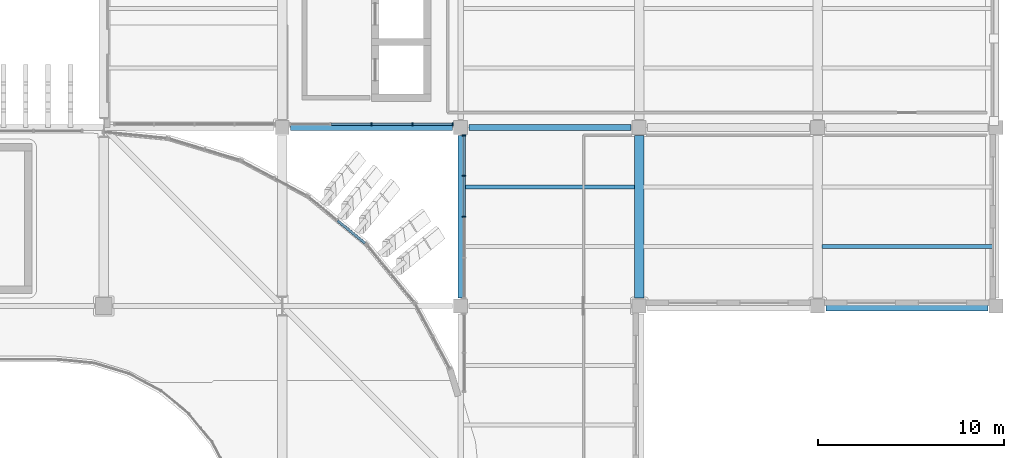
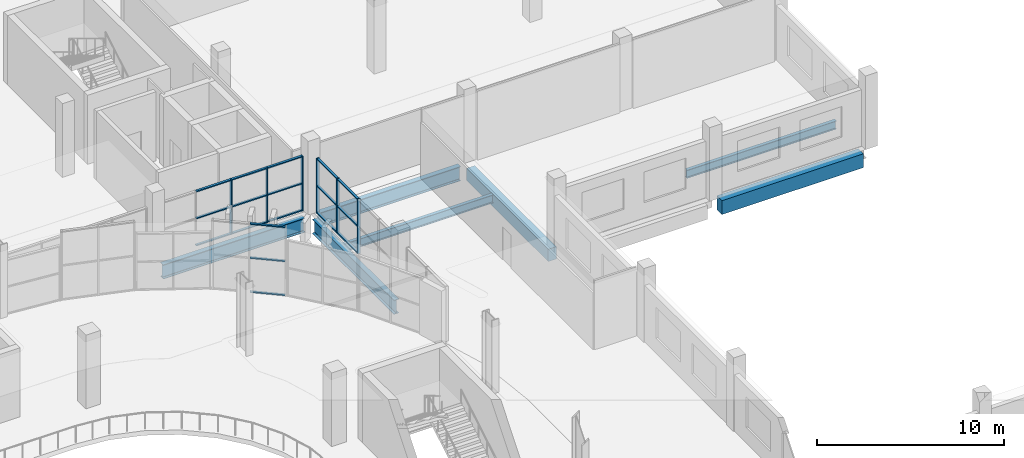
# One storey, part 37 of 100: 24 members, 7 beams, 3 elements without a shape of their own.
"""IFC4 building model written with IfcOpenShell, lengths in metres."""

from ifc_helpers import new_model, si_unit, direction, frame, origin, origin_2d, place, context, subcontext, project, spatial, rectangle, i_section, extrude, material, layer, layer_set, material_profile, profile_set, type_object, element, aggregate, save


model = new_model("IFC4")

# Units and contexts
model_context = context("Model", 3, precision=1e-05, world=origin(), true_north=direction((0.0, 1.0)))
body_context = subcontext(model_context, "Body", "Model", "MODEL_VIEW")
ifc_project = project(units=[si_unit("LENGTHUNIT", "METRE"), si_unit("AREAUNIT", "SQUARE_METRE"), si_unit("VOLUMEUNIT", "CUBIC_METRE"), si_unit("PLANEANGLEUNIT", "RADIAN"), si_unit("MASSUNIT", "GRAM", prefix="KILO")], contexts=[model_context])

# Site, building, storey
site_placement = place(None, origin())
site = spatial("IfcSite", under=ifc_project, at=site_placement, CompositionType="ELEMENT")
building_placement = place(site_placement, origin())
building = spatial("IfcBuilding", under=site, at=building_placement, Name="Caelomonte Colonnade Arena", CompositionType="ELEMENT")
storey_placement = place(building_placement, origin())
storey = spatial("IfcBuildingStorey", under=building, at=storey_placement, Name="L00", CompositionType="ELEMENT", Elevation=0.0)

# Curtain wall, members
ifc_material_1 = material(Name="Bronze anodised aluminium and low-E glazing", Category="aluminium")
ifc_layer_1 = layer(ifc_material_1, 0.179931640625)
ifc_layer_set_1 = layer_set([ifc_layer_1], Name="Bronze anodised aluminium and low-E glazing")
curtain_wall_type_1 = type_object("IfcCurtainWallType", Name="ENV-CW-CW-L00-89-36", PredefinedType="USERDEFINED", material=ifc_layer_set_1)
curtain_wall_1_placement = place(storey_placement, origin())
curtain_wall_1 = element("IfcCurtainWall", 1, at=curtain_wall_1_placement, inside=storey, type_object=curtain_wall_type_1, Name="L00 unitized curtain wall CW-L00-1584-1154", ObjectType="UNITIZED CURTAIN WALL", PredefinedType="USERDEFINED")
ifc_material_2 = material(Name="Bronze anodised aluminium AA6063-T6", Category="aluminium")
ifc_material_profile_1 = material_profile(ifc_material_2, rectangle(XDim=0.070068359375, YDim=0.179931640625, at=origin_2d()), Name="CWM-70X180")
ifc_profile_set_1 = profile_set([ifc_material_profile_1], Name="Bronze anodised aluminium AA6063-T6")
member_type_1 = type_object("IfcMemberType", Name="ENV-CW-MULL1", PredefinedType="MULLION", material=ifc_profile_set_1)
member_1_placement = place(storey_placement, frame((158.39990234375, 115.3798828125, 0.0), z_axis=(0.0, 0.0, 1.0), x_axis=(1.0, 0.0, 0.0)))
member_1 = element("IfcMember", 2, at=member_1_placement, type_object=member_type_1, Name="CW-L00-89-36 mullion 3", PredefinedType="MULLION", context=body_context, shape_type="SweptSolid", body=[
    extrude(rectangle(XDim=0.070068359375, YDim=0.179931640625, at=origin_2d()), origin(), (0.0, 0.0, 1.0), 3.572998046875),
])
member_2_placement = place(storey_placement, frame((160.6025390625, 115.3798828125, 0.0), z_axis=(0.0, 0.0, 1.0), x_axis=(1.0, 0.0, 0.0)))
member_2 = element("IfcMember", 3, at=member_2_placement, type_object=member_type_1, Name="CW-L00-89-36 mullion 4", PredefinedType="MULLION", context=body_context, shape_type="SweptSolid", body=[
    extrude(rectangle(XDim=0.070068359375, YDim=0.179931640625, at=origin_2d()), origin(), (0.0, 0.0, 1.0), 3.572998046875),
])
member_3_placement = place(storey_placement, frame((162.77001953125, 115.3798828125, 0.0), z_axis=(0.0, 0.0, 1.0), x_axis=(1.0, 0.0, 0.0)))
member_3 = element("IfcMember", 4, at=member_3_placement, type_object=member_type_1, Name="CW-L00-89-36 mullion 5", PredefinedType="MULLION", context=body_context, shape_type="SweptSolid", body=[
    extrude(rectangle(XDim=0.070068359375, YDim=0.179931640625, at=origin_2d()), origin(), (0.0, 0.0, 1.0), 3.572998046875),
])

curtain_wall_2_placement = place(storey_placement, origin())
curtain_wall_2 = element("IfcCurtainWall", 5, at=curtain_wall_2_placement, inside=storey, type_object=curtain_wall_type_1, Name="L00 unitized curtain wall CW-L00-1634-1104", ObjectType="UNITIZED CURTAIN WALL", PredefinedType="USERDEFINED")
member_4_placement = place(storey_placement, frame((163.3798828125, 114.77001953125, 0.0), z_axis=(0.0, 0.0, 1.0), x_axis=(0.0, -1.0, 0.0)))
member_4 = element("IfcMember", 6, at=member_4_placement, type_object=member_type_1, Name="CW-L00-89-36 mullion 1", PredefinedType="MULLION", context=body_context, shape_type="SweptSolid", body=[
    extrude(rectangle(XDim=0.070068359375, YDim=0.179931640625, at=origin_2d()), origin(), (0.0, 0.0, 1.0), 3.572998046875),
])
member_5_placement = place(storey_placement, frame((163.3798828125, 112.6025390625, 0.0), z_axis=(0.0, 0.0, 1.0), x_axis=(0.0, -1.0, 0.0)))
member_5 = element("IfcMember", 7, at=member_5_placement, type_object=member_type_1, Name="CW-L00-89-36 mullion 2", PredefinedType="MULLION", context=body_context, shape_type="SweptSolid", body=[
    extrude(rectangle(XDim=0.070068359375, YDim=0.179931640625, at=origin_2d()), origin(), (0.0, 0.0, 1.0), 3.572998046875),
])
member_6_placement = place(storey_placement, frame((163.3798828125, 110.39990234375, 0.0), z_axis=(0.0, 0.0, 1.0), x_axis=(0.0, -1.0, 0.0)))
member_6 = element("IfcMember", 8, at=member_6_placement, type_object=member_type_1, Name="CW-L00-89-36 mullion 3", PredefinedType="MULLION", context=body_context, shape_type="SweptSolid", body=[
    extrude(rectangle(XDim=0.070068359375, YDim=0.179931640625, at=origin_2d()), origin(), (0.0, 0.0, 1.0), 3.572998046875),
])

# Member
ifc_material_profile_2 = material_profile(ifc_material_2, rectangle(XDim=0.070068359375, YDim=0.139892578125, at=origin_2d()), Name="CWT-70X140")
ifc_profile_set_2 = profile_set([ifc_material_profile_2], Name="Bronze anodised aluminium AA6063-T6")
member_type_2 = type_object("IfcMemberType", Name="ENV-CW-TRAN1", PredefinedType="USERDEFINED", material=ifc_profile_set_2)
member_7_placement = place(storey_placement, frame((156.232421875, 115.3798828125, 0.034912109375), z_axis=(1.0, 0.0, 0.0), x_axis=(0.0, 0.0, 1.0)))
member_7 = element("IfcMember", 9, at=member_7_placement, type_object=member_type_2, Name="CW-L00-89-36 transom 2.1", ObjectType="TRANSOM", PredefinedType="USERDEFINED", context=body_context, shape_type="SweptSolid", body=[
    extrude(rectangle(XDim=0.070068359375, YDim=0.139892578125, at=origin_2d()), origin(), (0.0, 0.0, 1.0), 2.132568359375),
])

member_8_placement = place(storey_placement, frame((156.232421875, 115.3798828125, 1.78662109375), z_axis=(1.0, 0.0, 0.0), x_axis=(0.0, 0.0, 1.0)))
member_8 = element("IfcMember", 10, at=member_8_placement, type_object=member_type_2, Name="CW-L00-89-36 transom 2.2", ObjectType="TRANSOM", PredefinedType="USERDEFINED", context=body_context, shape_type="SweptSolid", body=[
    extrude(rectangle(XDim=0.070068359375, YDim=0.139892578125, at=origin_2d()), origin(), (0.0, 0.0, 1.0), 2.132568359375),
])

member_9_placement = place(storey_placement, frame((156.232421875, 115.3798828125, 3.5380859375), z_axis=(1.0, 0.0, 0.0), x_axis=(0.0, 0.0, 1.0)))
member_9 = element("IfcMember", 11, at=member_9_placement, type_object=member_type_2, Name="CW-L00-89-36 transom 2.3", ObjectType="TRANSOM", PredefinedType="USERDEFINED", context=body_context, shape_type="SweptSolid", body=[
    extrude(rectangle(XDim=0.070068359375, YDim=0.139892578125, at=origin_2d()), origin(), (0.0, 0.0, 1.0), 2.132568359375),
])

member_10_placement = place(storey_placement, frame((158.43505859375, 115.3798828125, 0.034912109375), z_axis=(1.0, 0.0, 0.0), x_axis=(0.0, 0.0, 1.0)))
member_10 = element("IfcMember", 12, at=member_10_placement, type_object=member_type_2, Name="CW-L00-89-36 transom 3.1", ObjectType="TRANSOM", PredefinedType="USERDEFINED", context=body_context, shape_type="SweptSolid", body=[
    extrude(rectangle(XDim=0.070068359375, YDim=0.139892578125, at=origin_2d()), origin(), (0.0, 0.0, 1.0), 2.13232421875),
])

member_11_placement = place(storey_placement, frame((158.43505859375, 115.3798828125, 1.78662109375), z_axis=(1.0, 0.0, 0.0), x_axis=(0.0, 0.0, 1.0)))
member_11 = element("IfcMember", 13, at=member_11_placement, type_object=member_type_2, Name="CW-L00-89-36 transom 3.2", ObjectType="TRANSOM", PredefinedType="USERDEFINED", context=body_context, shape_type="SweptSolid", body=[
    extrude(rectangle(XDim=0.070068359375, YDim=0.139892578125, at=origin_2d()), origin(), (0.0, 0.0, 1.0), 2.13232421875),
])

member_12_placement = place(storey_placement, frame((158.43505859375, 115.3798828125, 3.5380859375), z_axis=(1.0, 0.0, 0.0), x_axis=(0.0, 0.0, 1.0)))
member_12 = element("IfcMember", 14, at=member_12_placement, type_object=member_type_2, Name="CW-L00-89-36 transom 3.3", ObjectType="TRANSOM", PredefinedType="USERDEFINED", context=body_context, shape_type="SweptSolid", body=[
    extrude(rectangle(XDim=0.070068359375, YDim=0.139892578125, at=origin_2d()), origin(), (0.0, 0.0, 1.0), 2.13232421875),
])

member_13_placement = place(storey_placement, frame((160.637451171875, 115.3798828125, 0.034912109375), z_axis=(1.0, 0.0, 0.0), x_axis=(0.0, 0.0, 1.0)))
member_13 = element("IfcMember", 15, at=member_13_placement, type_object=member_type_2, Name="CW-L00-89-36 transom 4.1", ObjectType="TRANSOM", PredefinedType="USERDEFINED", context=body_context, shape_type="SweptSolid", body=[
    extrude(rectangle(XDim=0.070068359375, YDim=0.139892578125, at=origin_2d()), origin(), (0.0, 0.0, 1.0), 2.09765625),
])

member_14_placement = place(storey_placement, frame((160.637451171875, 115.3798828125, 1.78662109375), z_axis=(1.0, 0.0, 0.0), x_axis=(0.0, 0.0, 1.0)))
member_14 = element("IfcMember", 16, at=member_14_placement, type_object=member_type_2, Name="CW-L00-89-36 transom 4.2", ObjectType="TRANSOM", PredefinedType="USERDEFINED", context=body_context, shape_type="SweptSolid", body=[
    extrude(rectangle(XDim=0.070068359375, YDim=0.139892578125, at=origin_2d()), origin(), (0.0, 0.0, 1.0), 2.09765625),
])

member_15_placement = place(storey_placement, frame((160.637451171875, 115.3798828125, 3.5380859375), z_axis=(1.0, 0.0, 0.0), x_axis=(0.0, 0.0, 1.0)))
member_15 = element("IfcMember", 17, at=member_15_placement, type_object=member_type_2, Name="CW-L00-89-36 transom 4.3", ObjectType="TRANSOM", PredefinedType="USERDEFINED", context=body_context, shape_type="SweptSolid", body=[
    extrude(rectangle(XDim=0.070068359375, YDim=0.139892578125, at=origin_2d()), origin(), (0.0, 0.0, 1.0), 2.09765625),
])

aggregate(curtain_wall_1, [member_1, member_2, member_3, member_7, member_8, member_9, member_10, member_11, member_12, member_13, member_14, member_15])

member_16_placement = place(storey_placement, frame((163.3798828125, 114.735107421875, 0.034912109375), z_axis=(0.0, -1.0, 0.0), x_axis=(0.0, 0.0, 1.0)))
member_16 = element("IfcMember", 18, at=member_16_placement, type_object=member_type_2, Name="CW-L00-89-36 transom 1.1", ObjectType="TRANSOM", PredefinedType="USERDEFINED", context=body_context, shape_type="SweptSolid", body=[
    extrude(rectangle(XDim=0.070068359375, YDim=0.139892578125, at=origin_2d()), origin(), (0.0, 0.0, 1.0), 2.09765625),
])

member_17_placement = place(storey_placement, frame((163.3798828125, 114.735107421875, 1.78662109375), z_axis=(0.0, -1.0, 0.0), x_axis=(0.0, 0.0, 1.0)))
member_17 = element("IfcMember", 19, at=member_17_placement, type_object=member_type_2, Name="CW-L00-89-36 transom 1.2", ObjectType="TRANSOM", PredefinedType="USERDEFINED", context=body_context, shape_type="SweptSolid", body=[
    extrude(rectangle(XDim=0.070068359375, YDim=0.139892578125, at=origin_2d()), origin(), (0.0, 0.0, 1.0), 2.09765625),
])

member_18_placement = place(storey_placement, frame((163.3798828125, 114.735107421875, 3.5380859375), z_axis=(0.0, -1.0, 0.0), x_axis=(0.0, 0.0, 1.0)))
member_18 = element("IfcMember", 20, at=member_18_placement, type_object=member_type_2, Name="CW-L00-89-36 transom 1.3", ObjectType="TRANSOM", PredefinedType="USERDEFINED", context=body_context, shape_type="SweptSolid", body=[
    extrude(rectangle(XDim=0.070068359375, YDim=0.139892578125, at=origin_2d()), origin(), (0.0, 0.0, 1.0), 2.09765625),
])

member_19_placement = place(storey_placement, frame((163.3798828125, 112.5673828125, 0.034912109375), z_axis=(0.0, -1.0, 0.0), x_axis=(0.0, 0.0, 1.0)))
member_19 = element("IfcMember", 21, at=member_19_placement, type_object=member_type_2, Name="CW-L00-89-36 transom 2.1", ObjectType="TRANSOM", PredefinedType="USERDEFINED", context=body_context, shape_type="SweptSolid", body=[
    extrude(rectangle(XDim=0.070068359375, YDim=0.139892578125, at=origin_2d()), origin(), (0.0, 0.0, 1.0), 2.13232421875),
])

member_20_placement = place(storey_placement, frame((163.3798828125, 112.5673828125, 1.78662109375), z_axis=(0.0, -1.0, 0.0), x_axis=(0.0, 0.0, 1.0)))
member_20 = element("IfcMember", 22, at=member_20_placement, type_object=member_type_2, Name="CW-L00-89-36 transom 2.2", ObjectType="TRANSOM", PredefinedType="USERDEFINED", context=body_context, shape_type="SweptSolid", body=[
    extrude(rectangle(XDim=0.070068359375, YDim=0.139892578125, at=origin_2d()), origin(), (0.0, 0.0, 1.0), 2.13232421875),
])

member_21_placement = place(storey_placement, frame((163.3798828125, 112.5673828125, 3.5380859375), z_axis=(0.0, -1.0, 0.0), x_axis=(0.0, 0.0, 1.0)))
member_21 = element("IfcMember", 23, at=member_21_placement, type_object=member_type_2, Name="CW-L00-89-36 transom 2.3", ObjectType="TRANSOM", PredefinedType="USERDEFINED", context=body_context, shape_type="SweptSolid", body=[
    extrude(rectangle(XDim=0.070068359375, YDim=0.139892578125, at=origin_2d()), origin(), (0.0, 0.0, 1.0), 2.13232421875),
])

aggregate(curtain_wall_2, [member_4, member_5, member_6, member_16, member_17, member_18, member_19, member_20, member_21])

# Curtain wall, members
ifc_layer_2 = layer(ifc_material_1, 0.179931640625)
ifc_layer_set_2 = layer_set([ifc_layer_2], Name="Bronze anodised aluminium and low-E glazing")
curtain_wall_type_2 = type_object("IfcCurtainWallType", Name="ENV-CW-CW-L00-44-45", PredefinedType="USERDEFINED", material=ifc_layer_set_2)
curtain_wall_3_placement = place(storey_placement, origin())
curtain_wall_3 = element("IfcCurtainWall", 24, at=curtain_wall_3_placement, inside=storey, type_object=curtain_wall_type_2, Name="L00 unitized curtain wall CW-L00-1565-1102", ObjectType="UNITIZED CURTAIN WALL", PredefinedType="USERDEFINED")
member_22_placement = place(storey_placement, frame((158.050048828125, 108.979736328125, 0.034912109375), z_axis=(-0.772989936128, 0.634418283662, 0.0), x_axis=(0.0, 0.0, 1.0)))
member_22 = element("IfcMember", 25, at=member_22_placement, type_object=member_type_2, Name="CW-L00-44-45 transom 1.1", ObjectType="TRANSOM", PredefinedType="USERDEFINED", context=body_context, shape_type="SweptSolid", body=[
    extrude(rectangle(XDim=0.070068359375, YDim=0.139892578125, at=origin_2d()), origin(), (0.0, 0.0, 1.0), 1.913330078125),
])
member_23_placement = place(storey_placement, frame((158.050048828125, 108.979736328125, 2.25), z_axis=(-0.772989936128, 0.634418283662, 0.0), x_axis=(0.0, 0.0, 1.0)))
member_23 = element("IfcMember", 26, at=member_23_placement, type_object=member_type_2, Name="CW-L00-44-45 transom 1.2", ObjectType="TRANSOM", PredefinedType="USERDEFINED", context=body_context, shape_type="SweptSolid", body=[
    extrude(rectangle(XDim=0.070068359375, YDim=0.139892578125, at=origin_2d()), origin(), (0.0, 0.0, 1.0), 1.913330078125),
])
member_24_placement = place(storey_placement, frame((158.050048828125, 108.979736328125, 4.465087890625), z_axis=(-0.772989936128, 0.634418283662, 0.0), x_axis=(0.0, 0.0, 1.0)))
member_24 = element("IfcMember", 27, at=member_24_placement, type_object=member_type_2, Name="CW-L00-44-45 transom 1.3", ObjectType="TRANSOM", PredefinedType="USERDEFINED", context=body_context, shape_type="SweptSolid", body=[
    extrude(rectangle(XDim=0.070068359375, YDim=0.139892578125, at=origin_2d()), origin(), (0.0, 0.0, 1.0), 1.913330078125),
])
aggregate(curtain_wall_3, [member_22, member_23, member_24])

# Beams
ifc_material_3 = material(Name="Wide-flange steel ASTM A992 Grade 50", Category="steel")
ifc_material_profile_3 = material_profile(ifc_material_3, i_section(OverallWidth=0.307861328125, OverallDepth=0.927001953125, WebThickness=0.019287109375, FlangeThickness=0.031982421875, FilletRadius=0.020263671875, at=origin_2d()), Name="W36X194")
ifc_profile_set_3 = profile_set([ifc_material_profile_3], Name="Wide-flange steel ASTM A992 Grade 50")
beam_type_1 = type_object("IfcBeamType", Name="STR-BM-EAVES2", PredefinedType="SPANDREL", material=ifc_profile_set_3)
beam_1_placement = place(storey_placement, frame((154.0419921875, 115.199951171875, -0.763427734375), z_axis=(1.0, 0.0, 0.0), x_axis=(0.0, 1.0, 0.0)))
element("IfcBeam", 28, at=beam_1_placement, inside=storey, type_object=beam_type_1, Name="L00 girder BMX-L00-1536-1152", PredefinedType="SPANDREL", context=body_context, shape_type="SweptSolid", body=[
    extrude(i_section(OverallWidth=0.307861328125, OverallDepth=0.927001953125, WebThickness=0.019287109375, FlangeThickness=0.031982421875, FilletRadius=0.020263671875, at=origin_2d()), origin(), (0.0, 0.0, 1.0), 8.716064453125),
])
beam_2_placement = place(storey_placement, frame((163.64208984375, 115.199951171875, -0.763427734375), z_axis=(1.0, 0.0, 0.0), x_axis=(0.0, 1.0, 0.0)))
element("IfcBeam", 29, at=beam_2_placement, inside=storey, type_object=beam_type_1, Name="L00 girder BMX-L00-1632-1152", PredefinedType="SPANDREL", context=body_context, shape_type="SweptSolid", body=[
    extrude(i_section(OverallWidth=0.307861328125, OverallDepth=0.927001953125, WebThickness=0.019287109375, FlangeThickness=0.031982421875, FilletRadius=0.020263671875, at=origin_2d()), origin(), (0.0, 0.0, 1.0), 8.7158203125),
])
beam_3_placement = place(storey_placement, frame((163.199951171875, 106.0419921875, -0.763427734375), z_axis=(0.0, 1.0, 0.0), x_axis=(-1.0, 0.0, 0.0)))
element("IfcBeam", 30, at=beam_3_placement, inside=storey, type_object=beam_type_1, Name="L00 girder BMY-L00-1632-1056", PredefinedType="SPANDREL", context=body_context, shape_type="SweptSolid", body=[
    extrude(i_section(OverallWidth=0.307861328125, OverallDepth=0.927001953125, WebThickness=0.019287109375, FlangeThickness=0.031982421875, FilletRadius=0.020263671875, at=origin_2d()), origin(), (0.0, 0.0, 1.0), 8.716064453125),
])
ifc_material_profile_4 = material_profile(ifc_material_3, i_section(OverallWidth=0.209228515625, OverallDepth=0.533447265625, WebThickness=0.01025390625, FlangeThickness=0.015625, FilletRadius=0.0126953125, at=origin_2d()), Name="W21X62")
ifc_profile_set_4 = profile_set([ifc_material_profile_4], Name="Wide-flange steel ASTM A992 Grade 50")
beam_type_2 = type_object("IfcBeamType", Name="STR-BM-JOIST21", PredefinedType="JOIST", material=ifc_profile_set_4)
for number, where, z_axis, x_axis, name in (
    (31, (163.348876953125, 112.0, -0.566650390625), (1.0, 0.0, 0.0), (0.0, 1.0, 0.0), "L00 secondary joist 2"),
    (32, (182.64501953125, 108.800048828125, -0.566650390625), (1.0, 0.0, 0.0), (0.0, 1.0, 0.0), "L00 secondary joist 1"),
):
    element("IfcBeam", number, at=place(storey_placement, frame(where, z_axis=z_axis, x_axis=x_axis)), inside=storey, type_object=beam_type_2, Name=name, PredefinedType="JOIST", context=body_context, shape_type="SweptSolid", body=[
        extrude(i_section(OverallWidth=0.209228515625, OverallDepth=0.533447265625, WebThickness=0.01025390625, FlangeThickness=0.015625, FilletRadius=0.0126953125, at=origin_2d()), origin(), (0.0, 0.0, 1.0), 9.2060546875),
    ])
ifc_material_4 = material(Name="Concrete C40/50", Category="concrete")
ifc_material_profile_5 = material_profile(ifc_material_4, rectangle(XDim=0.5, YDim=0.800048828125, at=origin_2d()), Name="RC500X800")
ifc_profile_set_5 = profile_set([ifc_material_profile_5], Name="Concrete C40/50")
beam_type_3 = type_object("IfcBeamType", Name="STR-BM-RC50", PredefinedType="BEAM", material=ifc_profile_set_5)
beam_4_placement = place(storey_placement, frame((172.800048828125, 106.0419921875, -0.699951171875), z_axis=(0.0, 1.0, 0.0), x_axis=(-1.0, 0.0, 0.0)))
element("IfcBeam", 33, at=beam_4_placement, inside=storey, type_object=beam_type_3, Name="L00 girder BMY-L00-1728-1056", PredefinedType="BEAM", context=body_context, shape_type="SweptSolid", body=[
    extrude(rectangle(XDim=0.5, YDim=0.800048828125, at=origin_2d()), origin(), (0.0, 0.0, 1.0), 8.716064453125),
])
ifc_material_profile_6 = material_profile(ifc_material_4, rectangle(XDim=0.550048828125, YDim=0.89990234375, at=origin_2d()), Name="RC550X900")
ifc_profile_set_6 = profile_set([ifc_material_profile_6], Name="Concrete C40/50")
beam_type_4 = type_object("IfcBeamType", Name="STR-BM-RC55", PredefinedType="BEAM", material=ifc_profile_set_6)
beam_5_placement = place(storey_placement, frame((182.842041015625, 105.60009765625, -0.75), z_axis=(1.0, 0.0, 0.0), x_axis=(0.0, 1.0, 0.0)))
element("IfcBeam", 34, at=beam_5_placement, inside=storey, type_object=beam_type_4, Name="L00 girder BMX-L00-1824-1056", PredefinedType="BEAM", context=body_context, shape_type="SweptSolid", body=[
    extrude(rectangle(XDim=0.550048828125, YDim=0.89990234375, at=origin_2d()), origin(), (0.0, 0.0, 1.0), 8.716064453125),
])

save(model, "model.ifc")
